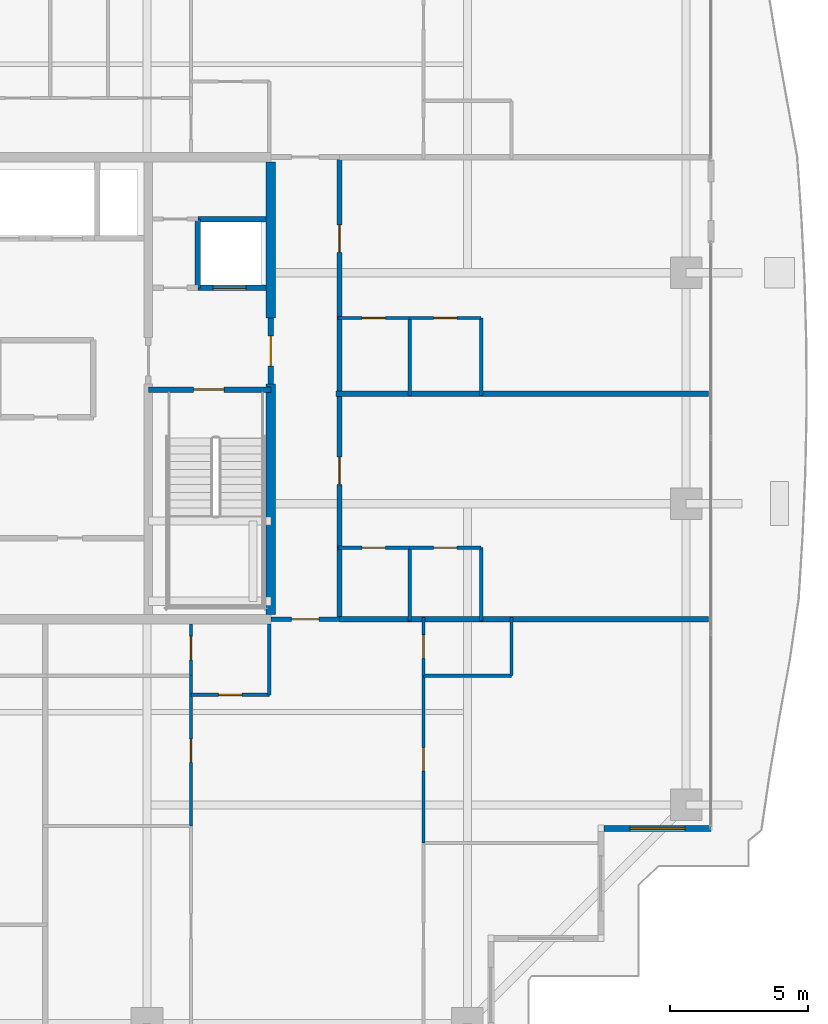
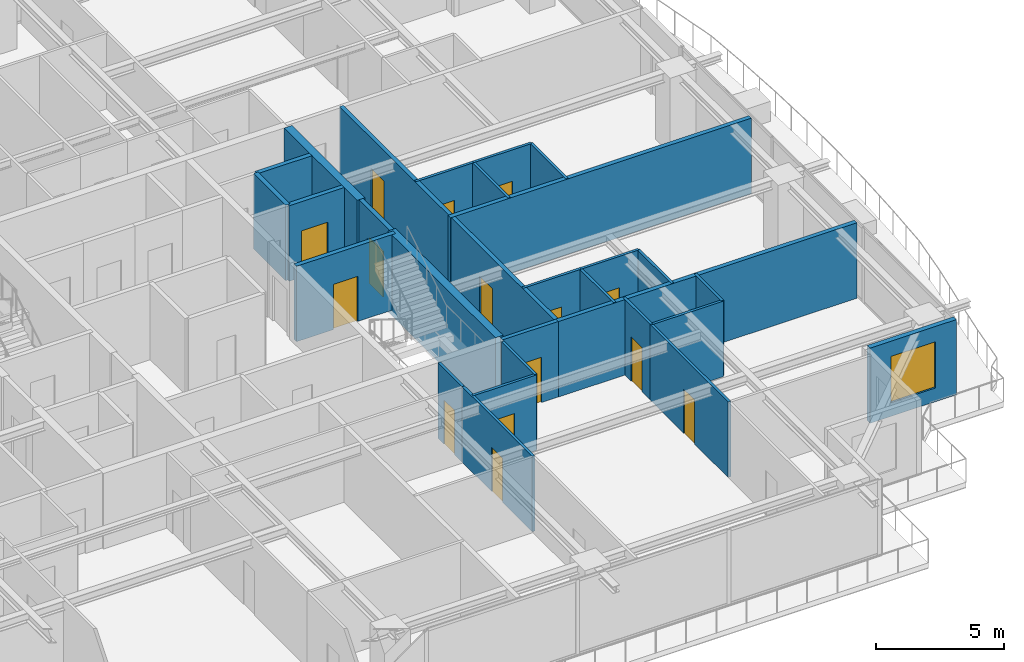
# One storey, part 28 of 37: 28 walls, 15 doors, 1 window, 16 openings.
"""IFC4 building model written with IfcOpenShell, lengths in metres."""

from ifc_helpers import new_model, si_unit, direction, frame, frame_2d, origin, place, context, subcontext, project, spatial, rectangle, extrude, source, transform, mapped, material, layer, layer_set, type_object, element, fill, save


model = new_model("IFC4")

# Units and contexts
model_context = context("Model", 3, precision=1e-05, world=origin(), true_north=direction((0.0, 1.0)))
body_context = subcontext(model_context, "Body", "Model", "MODEL_VIEW")
ifc_project = project(units=[si_unit("LENGTHUNIT", "METRE"), si_unit("AREAUNIT", "SQUARE_METRE"), si_unit("VOLUMEUNIT", "CUBIC_METRE"), si_unit("PLANEANGLEUNIT", "RADIAN"), si_unit("MASSUNIT", "GRAM", prefix="KILO")], contexts=[model_context])

# Site, building, storey
site_placement = place(None, origin())
site = spatial("IfcSite", under=ifc_project, at=site_placement, CompositionType="ELEMENT")
building_placement = place(site_placement, origin())
building = spatial("IfcBuilding", under=site, at=building_placement, Name="Serunith Strait Residences", CompositionType="ELEMENT")
storey_placement = place(building_placement, frame((0.0, 0.0, 279.75)))
storey = spatial("IfcBuildingStorey", under=building, at=storey_placement, Name="L70", CompositionType="ELEMENT", Elevation=279.75)

# Wall, opening, window
ifc_material_1 = material(Name="Pale-Champagne Aluminium Insulated Panel", Category="aluminium")
ifc_layer_1 = layer(ifc_material_1, 0.219970703125, Name="Pale-Champagne Aluminium Insulated Panel")
ifc_layer_set_1 = layer_set([ifc_layer_1], Name="Pale-Champagne Aluminium Insulated Panel")
wall_type_1 = type_object("IfcWallType", Name="EW-ALUM-220", PredefinedType="ELEMENTEDWALL", material=ifc_layer_set_1)
wall_1_placement = place(storey_placement, frame((53.510009765625, 9.199951171875, 0.0), z_axis=(0.0, 0.0, 1.0), x_axis=(1.0, 0.0, 0.0)))
wall_1 = element("IfcWall", 1, at=wall_1_placement, inside=storey, type_object=wall_type_1, Name="L70 Girih Serrated Corner Wall 05", PredefinedType="ELEMENTEDWALL", context=body_context, shape_type="SweptSolid", body=[
    extrude(rectangle(XDim=3.889892578125, YDim=0.219970703125, at=frame_2d((1.94482421875, 0.0))), origin(), (0.0, 0.0, 1.0), 3.574951171875),
])
opening_1_placement = place(wall_1_placement, frame((0.945068359375, 0.0, 0.64990234375)))
opening_1 = element("IfcOpeningElement", 2, at=opening_1_placement, cuts=wall_1, Name="Opening W-04", PredefinedType="OPENING", context=body_context, shape_type="SweptSolid", body=[
    extrude(rectangle(XDim=2.0, YDim=2.199951171875, at=frame_2d((1.0, 1.10009765625))), frame((0.0, 0.1201171875, 0.0), z_axis=(0.0, -1.0, 0.0), x_axis=(1.0, 0.0, 0.0)), (0.0, 0.0, 1.0), 0.239990234375),
])
ifc_material_2 = material(Name="Ceramic-Fritted Operable Aluminium Window Glass", Category="aluminium")
window_type = type_object("IfcWindowType", Name="WIN-C4", PartitioningType="TRIPLE_PANEL_VERTICAL", PredefinedType="WINDOW", material=ifc_material_2)
shared_shape_1 = source(origin(), body_context, "Body", "SweptSolid", [
    extrude(rectangle(XDim=2.0, YDim=2.199951171875, at=frame_2d((1.0, 1.10009765625))), frame((0.0, 0.030029296875, 0.0), z_axis=(0.0, -1.0, 0.0), x_axis=(1.0, 0.0, 0.0)), (0.0, 0.0, 1.0), 0.06005859375),
])
window_placement = place(opening_1_placement, origin())
window = element("IfcWindow", 3, at=window_placement, inside=storey, type_object=window_type, Name="L70 Corner Operable Fritted Window 05", OverallHeight=2.199951171875, OverallWidth=2.0, PartitioningType="SINGLE_PANEL", PredefinedType="WINDOW", context=body_context, shape_type="MappedRepresentation", body=[
    mapped(shared_shape_1, transform((0.0, 0.0, 0.0), scale=1.0)),
])
fill(opening_1, window)

# Wall, opening, door
ifc_material_3 = material(Name="Fire-rated acoustic gypsum partition")
ifc_layer_2 = layer(ifc_material_3, 0.179931640625, Name="Fire-rated acoustic gypsum partition")
ifc_layer_set_2 = layer_set([ifc_layer_2], Name="Fire-rated acoustic gypsum partition")
wall_type_2 = type_object("IfcWallType", Name="IW-CORR-180", PredefinedType="PARTITIONING", material=ifc_layer_set_2)
wall_2_placement = place(storey_placement, frame((41.402099609375, 16.800048828125, 0.0), z_axis=(0.0, 0.0, 1.0), x_axis=(1.0, 0.0, 0.0)))
wall_2 = element("IfcWall", 4, at=wall_2_placement, inside=storey, type_object=wall_type_2, Name="L70 Partition Wall 029", PredefinedType="PARTITIONING", context=body_context, shape_type="SweptSolid", body=[
    extrude(rectangle(XDim=2.495849609375, YDim=0.179931640625, at=frame_2d((1.248046875, 0.0))), origin(), (0.0, 0.0, 1.0), 3.590087890625),
])
opening_2_placement = place(wall_2_placement, frame((0.748046875, 0.0, 0.0)))
opening_2 = element("IfcOpeningElement", 5, at=opening_2_placement, cuts=wall_2, Name="Opening D-APT1000", PredefinedType="OPENING", context=body_context, shape_type="SweptSolid", body=[
    extrude(rectangle(XDim=1.0, YDim=2.14990234375, at=frame_2d((0.5, 1.074951171875))), frame((0.0, 0.10009765625, 0.0), z_axis=(0.0, -1.0, 0.0), x_axis=(1.0, 0.0, 0.0)), (0.0, 0.0, 1.0), 0.199951171875),
])
ifc_material_4 = material(Name="Solid timber engineered fire door", Category="wood")
door_type_1 = type_object("IfcDoorType", Name="ID-APT-1000", OperationType="NOTDEFINED", PredefinedType="DOOR", material=ifc_material_4)
shared_shape_2 = source(origin(), body_context, "Body", "SweptSolid", [
    extrude(rectangle(XDim=1.0, YDim=2.14990234375, at=frame_2d((0.5, 1.074951171875))), frame((0.0, 0.02490234375, 0.0), z_axis=(0.0, -1.0, 0.0), x_axis=(1.0, 0.0, 0.0)), (0.0, 0.0, 1.0), 0.050048828125),
])
door_1_placement = place(opening_2_placement, origin())
door_1 = element("IfcDoor", 6, at=door_1_placement, inside=storey, type_object=door_type_1, Name="L70 Unit 02 Entrance Door", OperationType="SINGLE_SWING_LEFT", OverallHeight=2.14990234375, OverallWidth=1.0, PredefinedType="DOOR", context=body_context, shape_type="MappedRepresentation", body=[
    mapped(shared_shape_2, transform((0.0, 0.0, 0.0), scale=1.0)),
])
fill(opening_2, door_1)

# Wall, openings, doors
wall_3_placement = place(storey_placement, frame((43.89990234375, 16.800048828125, 0.0), z_axis=(0.0, 0.0, 1.0), x_axis=(0.0, 1.0, 0.0)))
wall_3 = element("IfcWall", 7, at=wall_3_placement, inside=storey, type_object=wall_type_2, Name="L70 Partition Wall 031", PredefinedType="PARTITIONING", context=body_context, shape_type="SweptSolid", body=[
    extrude(rectangle(XDim=16.800048828125, YDim=0.179931640625, at=frame_2d((8.39990234375, 0.0))), origin(), (0.0, 0.0, 1.0), 3.590087890625),
])
opening_3_placement = place(wall_3_placement, frame((4.89794921875, 0.0, 0.0)))
opening_3 = element("IfcOpeningElement", 8, at=opening_3_placement, cuts=wall_3, Name="Opening D-APT1000", PredefinedType="OPENING", context=body_context, shape_type="SweptSolid", body=[
    extrude(rectangle(XDim=1.0, YDim=2.14990234375, at=frame_2d((0.5, 1.074951171875))), frame((0.0, 0.10009765625, 0.0), z_axis=(0.0, -1.0, 0.0), x_axis=(1.0, 0.0, 0.0)), (0.0, 0.0, 1.0), 0.199951171875),
])
opening_4_placement = place(wall_3_placement, frame((13.3349609375, 0.0, 0.0)))
opening_4 = element("IfcOpeningElement", 9, at=opening_4_placement, cuts=wall_3, Name="Opening D-APT1000", PredefinedType="OPENING", context=body_context, shape_type="SweptSolid", body=[
    extrude(rectangle(XDim=1.0, YDim=2.14990234375, at=frame_2d((0.5, 1.074951171875))), frame((0.0, 0.10009765625, 0.0), z_axis=(0.0, -1.0, 0.0), x_axis=(1.0, 0.0, 0.0)), (0.0, 0.0, 1.0), 0.199951171875),
])
door_2_placement = place(opening_3_placement, origin())
door_2 = element("IfcDoor", 10, at=door_2_placement, inside=storey, type_object=door_type_1, Name="L70 Unit 06 Entrance Door", OperationType="SINGLE_SWING_LEFT", OverallHeight=2.14990234375, OverallWidth=1.0, PredefinedType="DOOR", context=body_context, shape_type="MappedRepresentation", body=[
    mapped(shared_shape_2, transform((0.0, 0.0, 0.0), scale=1.0)),
])
fill(opening_3, door_2)
door_3_placement = place(opening_4_placement, origin())
door_3 = element("IfcDoor", 11, at=door_3_placement, inside=storey, type_object=door_type_1, Name="L70 Unit 07 Entrance Door", OperationType="SINGLE_SWING_RIGHT", OverallHeight=2.14990234375, OverallWidth=1.0, PredefinedType="DOOR", context=body_context, shape_type="MappedRepresentation", body=[
    mapped(shared_shape_2, transform((0.0, 0.0, 0.0), scale=1.0)),
])
fill(opening_4, door_3)

# Wall, opening, door
ifc_material_5 = material(Name="Lightweight steel-stud gypsum partition", Category="steel")
ifc_layer_3 = layer(ifc_material_5, 0.1201171875, Name="Lightweight steel-stud gypsum partition")
ifc_layer_set_3 = layer_set([ifc_layer_3], Name="Lightweight steel-stud gypsum partition")
wall_type_3 = type_object("IfcWallType", Name="IW-PART-120", PredefinedType="PARTITIONING", material=ifc_layer_set_3)
wall_4_placement = place(storey_placement, frame((38.5, 14.050048828125, 0.0), z_axis=(0.0, 0.0, 1.0), x_axis=(1.0, 0.0, 0.0)))
wall_4 = element("IfcWall", 12, at=wall_4_placement, inside=storey, type_object=wall_type_3, Name="L70 Partition Wall 045", PredefinedType="PARTITIONING", context=body_context, shape_type="SweptSolid", body=[
    extrude(rectangle(XDim=2.85009765625, YDim=0.1201171875, at=frame_2d((1.425048828125, 0.0))), origin(), (0.0, 0.0, 1.0), 3.590087890625),
])
opening_5_placement = place(wall_4_placement, frame((1.0, 0.0, 0.0)))
opening_5 = element("IfcOpeningElement", 13, at=opening_5_placement, cuts=wall_4, Name="Opening D-RM850", PredefinedType="OPENING", context=body_context, shape_type="SweptSolid", body=[
    extrude(rectangle(XDim=0.85009765625, YDim=2.10009765625, at=frame_2d((0.425048828125, 1.050048828125))), frame((0.0, 0.070068359375, 0.0), z_axis=(0.0, -1.0, 0.0), x_axis=(1.0, 0.0, 0.0)), (0.0, 0.0, 1.0), 0.14013671875),
])
ifc_material_6 = material(Name="Engineered timber flush study and kitchen door", Category="wood")
door_type_2 = type_object("IfcDoorType", Name="ID-ROOM-850", OperationType="NOTDEFINED", PredefinedType="DOOR", material=ifc_material_6)
shared_shape_3 = source(origin(), body_context, "Body", "SweptSolid", [
    extrude(rectangle(XDim=0.85009765625, YDim=2.10009765625, at=frame_2d((0.425048828125, 1.050048828125))), frame((0.0, 0.02490234375, 0.0), z_axis=(0.0, -1.0, 0.0), x_axis=(1.0, 0.0, 0.0)), (0.0, 0.0, 1.0), 0.050048828125),
])
door_4_placement = place(opening_5_placement, origin())
door_4 = element("IfcDoor", 14, at=door_4_placement, inside=storey, type_object=door_type_2, Name="L70 Kitchen 7002 Door", OperationType="SINGLE_SWING_RIGHT", OverallHeight=2.10009765625, OverallWidth=0.85009765625, PredefinedType="DOOR", context=body_context, shape_type="MappedRepresentation", body=[
    mapped(shared_shape_3, transform((0.0, 0.0, 0.0), scale=1.0)),
])
fill(opening_5, door_4)

# Wall
wall_5_placement = place(storey_placement, frame((41.35009765625, 14.050048828125, 0.0), z_axis=(0.0, 0.0, 1.0), x_axis=(0.0, 1.0, 0.0)))
element("IfcWall", 15, at=wall_5_placement, inside=storey, type_object=wall_type_3, Name="L70 Partition Wall 046", PredefinedType="PARTITIONING", context=body_context, shape_type="SweptSolid", body=[
    extrude(rectangle(XDim=2.574951171875, YDim=0.1201171875, at=frame_2d((1.28759765625, 0.0))), origin(), (0.0, 0.0, 1.0), 3.590087890625),
])

# Wall, opening, door
wall_6_placement = place(storey_placement, frame((38.5, 9.2880859375, 0.0), z_axis=(0.0, 0.0, 1.0), x_axis=(0.0, 1.0, 0.0)))
wall_6 = element("IfcWall", 16, at=wall_6_placement, inside=storey, type_object=wall_type_3, Name="L70 Partition Wall 050", PredefinedType="PARTITIONING", context=body_context, shape_type="SweptSolid", body=[
    extrude(rectangle(XDim=5.4619140625, YDim=0.1201171875, at=frame_2d((2.73095703125, 0.0))), origin(), (0.0, 0.0, 1.0), 3.590087890625),
])
opening_6_placement = place(wall_6_placement, frame((2.305908203125, 0.0, 0.0)))
opening_6 = element("IfcOpeningElement", 17, at=opening_6_placement, cuts=wall_6, Name="Opening D-RM850", PredefinedType="OPENING", context=body_context, shape_type="SweptSolid", body=[
    extrude(rectangle(XDim=0.85009765625, YDim=2.10009765625, at=frame_2d((0.425048828125, 1.050048828125))), frame((0.0, 0.070068359375, 0.0), z_axis=(0.0, -1.0, 0.0), x_axis=(1.0, 0.0, 0.0)), (0.0, 0.0, 1.0), 0.14013671875),
])
door_5_placement = place(opening_6_placement, origin())
door_5 = element("IfcDoor", 18, at=door_5_placement, inside=storey, type_object=door_type_2, Name="L70 Walk-in Wardrobe 7002 Door", OperationType="SINGLE_SWING_RIGHT", OverallHeight=2.10009765625, OverallWidth=0.85009765625, PredefinedType="DOOR", context=body_context, shape_type="MappedRepresentation", body=[
    mapped(shared_shape_3, transform((0.0, 0.0, 0.0), scale=1.0)),
])
fill(opening_6, door_5)

wall_7_placement = place(storey_placement, frame((38.5, 14.751953125, 0.0), z_axis=(0.0, 0.0, 1.0), x_axis=(0.0, 1.0, 0.0)))
wall_7 = element("IfcWall", 19, at=wall_7_placement, inside=storey, type_object=wall_type_3, Name="L70 Partition Wall 051", PredefinedType="PARTITIONING", context=body_context, shape_type="SweptSolid", body=[
    extrude(rectangle(XDim=1.873046875, YDim=0.1201171875, at=frame_2d((0.9365234375, 0.0))), origin(), (0.0, 0.0, 1.0), 3.590087890625),
])
opening_7_placement = place(wall_7_placement, frame((0.574951171875, 0.0, 0.0)))
opening_7 = element("IfcOpeningElement", 20, at=opening_7_placement, cuts=wall_7, Name="Opening D-BTH850", PredefinedType="OPENING", context=body_context, shape_type="SweptSolid", body=[
    extrude(rectangle(XDim=0.85009765625, YDim=2.10009765625, at=frame_2d((0.425048828125, 1.050048828125))), frame((0.0, 0.070068359375, 0.0), z_axis=(0.0, -1.0, 0.0), x_axis=(1.0, 0.0, 0.0)), (0.0, 0.0, 1.0), 0.14013671875),
])
ifc_material_7 = material(Name="Moisture-resistant timber bathroom door", Category="wood")
door_type_3 = type_object("IfcDoorType", Name="ID-BATH-850", OperationType="NOTDEFINED", PredefinedType="DOOR", material=ifc_material_7)
door_6_placement = place(opening_7_placement, origin())
door_6 = element("IfcDoor", 21, at=door_6_placement, inside=storey, type_object=door_type_3, Name="L70 Bathroom 7002 Door", OperationType="SINGLE_SWING_LEFT", OverallHeight=2.10009765625, OverallWidth=0.85009765625, PredefinedType="DOOR", context=body_context, shape_type="MappedRepresentation", body=[
    mapped(shared_shape_3, transform((0.0, 0.0, 0.0), scale=1.0)),
])
fill(opening_7, door_6)

# Walls
wall_8_placement = place(storey_placement, frame((46.949951171875, 14.75, 0.0), z_axis=(0.0, 0.0, 1.0), x_axis=(1.0, 0.0, 0.0)))
element("IfcWall", 22, at=wall_8_placement, inside=storey, type_object=wall_type_3, Name="L70 Partition Wall 054", PredefinedType="PARTITIONING", context=body_context, shape_type="SweptSolid", body=[
    extrude(rectangle(XDim=3.199951171875, YDim=0.1201171875, at=frame_2d((1.60009765625, 0.0))), origin(), (0.0, 0.0, 1.0), 3.590087890625),
])
wall_9_placement = place(storey_placement, frame((50.14990234375, 14.75, 0.0), z_axis=(0.0, 0.0, 1.0), x_axis=(0.0, 1.0, 0.0)))
element("IfcWall", 23, at=wall_9_placement, inside=storey, type_object=wall_type_3, Name="L70 Partition Wall 055", PredefinedType="PARTITIONING", context=body_context, shape_type="SweptSolid", body=[
    extrude(rectangle(XDim=2.110107421875, YDim=0.1201171875, at=frame_2d((1.05517578125, 0.0))), origin(), (0.0, 0.0, 1.0), 3.590087890625),
])

# Wall, opening, door
wall_10_placement = place(storey_placement, frame((46.949951171875, 8.669921875, 0.0), z_axis=(0.0, 0.0, 1.0), x_axis=(0.0, 1.0, 0.0)))
wall_10 = element("IfcWall", 24, at=wall_10_placement, inside=storey, type_object=wall_type_3, Name="L70 Partition Wall 056", PredefinedType="PARTITIONING", context=body_context, shape_type="SweptSolid", body=[
    extrude(rectangle(XDim=6.080078125, YDim=0.1201171875, at=frame_2d((3.0400390625, 0.0))), origin(), (0.0, 0.0, 1.0), 3.590087890625),
])
opening_8_placement = place(wall_10_placement, frame((2.614990234375, 0.0, 0.0)))
opening_8 = element("IfcOpeningElement", 25, at=opening_8_placement, cuts=wall_10, Name="Opening D-RM850", PredefinedType="OPENING", context=body_context, shape_type="SweptSolid", body=[
    extrude(rectangle(XDim=0.85009765625, YDim=2.10009765625, at=frame_2d((0.425048828125, 1.050048828125))), frame((0.0, 0.070068359375, 0.0), z_axis=(0.0, -1.0, 0.0), x_axis=(1.0, 0.0, 0.0)), (0.0, 0.0, 1.0), 0.14013671875),
])
door_7_placement = place(opening_8_placement, origin())
door_7 = element("IfcDoor", 26, at=door_7_placement, inside=storey, type_object=door_type_2, Name="L70 Walk-in Wardrobe 7002 Door", OperationType="SINGLE_SWING_LEFT", OverallHeight=2.10009765625, OverallWidth=0.85009765625, PredefinedType="DOOR", context=body_context, shape_type="MappedRepresentation", body=[
    mapped(shared_shape_3, transform((0.0, 0.0, 0.0), scale=1.0)),
])
fill(opening_8, door_7)

wall_11_placement = place(storey_placement, frame((46.949951171875, 14.751953125, 0.0), z_axis=(0.0, 0.0, 1.0), x_axis=(0.0, 1.0, 0.0)))
wall_11 = element("IfcWall", 27, at=wall_11_placement, inside=storey, type_object=wall_type_3, Name="L70 Partition Wall 057", PredefinedType="PARTITIONING", context=body_context, shape_type="SweptSolid", body=[
    extrude(rectangle(XDim=2.108154296875, YDim=0.1201171875, at=frame_2d((1.05419921875, 0.0))), origin(), (0.0, 0.0, 1.0), 3.590087890625),
])
opening_9_placement = place(wall_11_placement, frame((0.62890625, 0.0, 0.0)))
opening_9 = element("IfcOpeningElement", 28, at=opening_9_placement, cuts=wall_11, Name="Opening D-BTH850", PredefinedType="OPENING", context=body_context, shape_type="SweptSolid", body=[
    extrude(rectangle(XDim=0.85009765625, YDim=2.10009765625, at=frame_2d((0.425048828125, 1.050048828125))), frame((0.0, 0.070068359375, 0.0), z_axis=(0.0, -1.0, 0.0), x_axis=(1.0, 0.0, 0.0)), (0.0, 0.0, 1.0), 0.14013671875),
])
door_8_placement = place(opening_9_placement, origin())
door_8 = element("IfcDoor", 29, at=door_8_placement, inside=storey, type_object=door_type_3, Name="L70 Bathroom 7002 Door", OperationType="SINGLE_SWING_RIGHT", OverallHeight=2.10009765625, OverallWidth=0.85009765625, PredefinedType="DOOR", context=body_context, shape_type="MappedRepresentation", body=[
    mapped(shared_shape_3, transform((0.0, 0.0, 0.0), scale=1.0)),
])
fill(opening_9, door_8)

wall_12_placement = place(storey_placement, frame((49.050048828125, 19.39990234375, 0.0), z_axis=(0.0, 0.0, 1.0), x_axis=(-1.0, 0.0, 0.0)))
wall_12 = element("IfcWall", 30, at=wall_12_placement, inside=storey, type_object=wall_type_3, Name="L70 Partition Wall 101", PredefinedType="PARTITIONING", context=body_context, shape_type="SweptSolid", body=[
    extrude(rectangle(XDim=2.60009765625, YDim=0.1201171875, at=frame_2d((1.300048828125, 0.0))), origin(), (0.0, 0.0, 1.0), 3.590087890625),
])
opening_10_placement = place(wall_12_placement, frame((0.875, 0.0, 0.0)))
opening_10 = element("IfcOpeningElement", 31, at=opening_10_placement, cuts=wall_12, Name="Opening D-RM850", PredefinedType="OPENING", context=body_context, shape_type="SweptSolid", body=[
    extrude(rectangle(XDim=0.85009765625, YDim=2.10009765625, at=frame_2d((0.425048828125, 1.050048828125))), frame((0.0, 0.070068359375, 0.0), z_axis=(0.0, -1.0, 0.0), x_axis=(1.0, 0.0, 0.0)), (0.0, 0.0, 1.0), 0.14013671875),
])
door_9_placement = place(opening_10_placement, origin())
door_9 = element("IfcDoor", 32, at=door_9_placement, inside=storey, type_object=door_type_2, Name="L70 Kitchen 7006 Door", OperationType="SINGLE_SWING_LEFT", OverallHeight=2.10009765625, OverallWidth=0.85009765625, PredefinedType="DOOR", context=body_context, shape_type="MappedRepresentation", body=[
    mapped(shared_shape_3, transform((0.0, 0.0, 0.0), scale=1.0)),
])
fill(opening_10, door_9)

wall_13_placement = place(storey_placement, frame((46.447998046875, 19.39990234375, 0.0), z_axis=(0.0, 0.0, 1.0), x_axis=(-1.0, 0.0, 0.0)))
wall_13 = element("IfcWall", 33, at=wall_13_placement, inside=storey, type_object=wall_type_3, Name="L70 Partition Wall 102", PredefinedType="PARTITIONING", context=body_context, shape_type="SweptSolid", body=[
    extrude(rectangle(XDim=2.60791015625, YDim=0.1201171875, at=frame_2d((1.303955078125, 0.0))), origin(), (0.0, 0.0, 1.0), 3.590087890625),
])
opening_11_placement = place(wall_13_placement, frame((0.87890625, 0.0, 0.0)))
opening_11 = element("IfcOpeningElement", 34, at=opening_11_placement, cuts=wall_13, Name="Opening D-BTH850", PredefinedType="OPENING", context=body_context, shape_type="SweptSolid", body=[
    extrude(rectangle(XDim=0.85009765625, YDim=2.10009765625, at=frame_2d((0.425048828125, 1.050048828125))), frame((0.0, 0.070068359375, 0.0), z_axis=(0.0, -1.0, 0.0), x_axis=(1.0, 0.0, 0.0)), (0.0, 0.0, 1.0), 0.14013671875),
])
door_10_placement = place(opening_11_placement, origin())
door_10 = element("IfcDoor", 35, at=door_10_placement, inside=storey, type_object=door_type_3, Name="L70 Bathroom 7006 Door", OperationType="SINGLE_SWING_RIGHT", OverallHeight=2.10009765625, OverallWidth=0.85009765625, PredefinedType="DOOR", context=body_context, shape_type="MappedRepresentation", body=[
    mapped(shared_shape_3, transform((0.0, 0.0, 0.0), scale=1.0)),
])
fill(opening_11, door_10)

# Walls
for number, where, z_axis, x_axis, name in (
    (36, (46.449951171875, 16.739990234375, 0.0), (0.0, 0.0, 1.0), (0.0, 1.0, 0.0), "L70 Partition Wall 103"),
    (37, (49.050048828125, 16.739990234375, 0.0), (0.0, 0.0, 1.0), (0.0, 1.0, 0.0), "L70 Partition Wall 104"),
):
    element("IfcWall", number, at=place(storey_placement, frame(where, z_axis=z_axis, x_axis=x_axis)), inside=storey, type_object=wall_type_3, Name=name, PredefinedType="PARTITIONING", context=body_context, shape_type="SweptSolid", body=[
        extrude(rectangle(XDim=2.659912109375, YDim=0.1201171875, at=frame_2d((1.330078125, 0.0))), origin(), (0.0, 0.0, 1.0), 3.590087890625),
    ])

# Wall, opening, door
wall_14_placement = place(storey_placement, frame((49.050048828125, 27.75, 0.0), z_axis=(0.0, 0.0, 1.0), x_axis=(-1.0, 0.0, 0.0)))
wall_14 = element("IfcWall", 38, at=wall_14_placement, inside=storey, type_object=wall_type_3, Name="L70 Partition Wall 105", PredefinedType="PARTITIONING", context=body_context, shape_type="SweptSolid", body=[
    extrude(rectangle(XDim=2.60009765625, YDim=0.1201171875, at=frame_2d((1.300048828125, 0.0))), origin(), (0.0, 0.0, 1.0), 3.590087890625),
])
opening_12_placement = place(wall_14_placement, frame((0.875, 0.0, 0.0)))
opening_12 = element("IfcOpeningElement", 39, at=opening_12_placement, cuts=wall_14, Name="Opening D-RM850", PredefinedType="OPENING", context=body_context, shape_type="SweptSolid", body=[
    extrude(rectangle(XDim=0.85009765625, YDim=2.10009765625, at=frame_2d((0.425048828125, 1.050048828125))), frame((0.0, 0.070068359375, 0.0), z_axis=(0.0, -1.0, 0.0), x_axis=(1.0, 0.0, 0.0)), (0.0, 0.0, 1.0), 0.14013671875),
])
door_11_placement = place(opening_12_placement, origin())
door_11 = element("IfcDoor", 40, at=door_11_placement, inside=storey, type_object=door_type_2, Name="L70 Kitchen 7007 Door", OperationType="SINGLE_SWING_LEFT", OverallHeight=2.10009765625, OverallWidth=0.85009765625, PredefinedType="DOOR", context=body_context, shape_type="MappedRepresentation", body=[
    mapped(shared_shape_3, transform((0.0, 0.0, 0.0), scale=1.0)),
])
fill(opening_12, door_11)

wall_15_placement = place(storey_placement, frame((46.447998046875, 27.75, 0.0), z_axis=(0.0, 0.0, 1.0), x_axis=(-1.0, 0.0, 0.0)))
wall_15 = element("IfcWall", 41, at=wall_15_placement, inside=storey, type_object=wall_type_3, Name="L70 Partition Wall 106", PredefinedType="PARTITIONING", context=body_context, shape_type="SweptSolid", body=[
    extrude(rectangle(XDim=2.60791015625, YDim=0.1201171875, at=frame_2d((1.303955078125, 0.0))), origin(), (0.0, 0.0, 1.0), 3.590087890625),
])
opening_13_placement = place(wall_15_placement, frame((0.87890625, 0.0, 0.0)))
opening_13 = element("IfcOpeningElement", 42, at=opening_13_placement, cuts=wall_15, Name="Opening D-BTH850", PredefinedType="OPENING", context=body_context, shape_type="SweptSolid", body=[
    extrude(rectangle(XDim=0.85009765625, YDim=2.10009765625, at=frame_2d((0.425048828125, 1.050048828125))), frame((0.0, 0.070068359375, 0.0), z_axis=(0.0, -1.0, 0.0), x_axis=(1.0, 0.0, 0.0)), (0.0, 0.0, 1.0), 0.14013671875),
])
door_12_placement = place(opening_13_placement, origin())
door_12 = element("IfcDoor", 43, at=door_12_placement, inside=storey, type_object=door_type_3, Name="L70 Bathroom 7007 Door", OperationType="SINGLE_SWING_RIGHT", OverallHeight=2.10009765625, OverallWidth=0.85009765625, PredefinedType="DOOR", context=body_context, shape_type="MappedRepresentation", body=[
    mapped(shared_shape_3, transform((0.0, 0.0, 0.0), scale=1.0)),
])
fill(opening_13, door_12)

# Walls
for number, where, z_axis, x_axis, name in (
    (44, (46.449951171875, 24.93994140625, 0.0), (0.0, 0.0, 1.0), (0.0, 1.0, 0.0), "L70 Partition Wall 107"),
    (45, (49.050048828125, 24.93994140625, 0.0), (0.0, 0.0, 1.0), (0.0, 1.0, 0.0), "L70 Partition Wall 108"),
):
    element("IfcWall", number, at=place(storey_placement, frame(where, z_axis=z_axis, x_axis=x_axis)), inside=storey, type_object=wall_type_3, Name=name, PredefinedType="PARTITIONING", context=body_context, shape_type="SweptSolid", body=[
        extrude(rectangle(XDim=2.81005859375, YDim=0.1201171875, at=frame_2d((1.405029296875, 0.0))), origin(), (0.0, 0.0, 1.0), 3.590087890625),
    ])
ifc_material_8 = material(Name="Twin-stud acoustic gypsum board partition")
ifc_layer_4 = layer(ifc_material_8, 0.199951171875, Name="Twin-stud acoustic gypsum board partition")
ifc_layer_set_4 = layer_set([ifc_layer_4], Name="Twin-stud acoustic gypsum board partition")
wall_type_4 = type_object("IfcWallType", Name="IW-PARTY-200", PredefinedType="PARTITIONING", material=ifc_layer_set_4)
wall_16_placement = place(storey_placement, frame((43.780029296875, 25.0, 0.0), z_axis=(0.0, 0.0, 1.0), x_axis=(1.0, 0.0, 0.0)))
element("IfcWall", 46, at=wall_16_placement, inside=storey, type_object=wall_type_4, Name="L70 Partition Wall 021", PredefinedType="PARTITIONING", context=body_context, shape_type="SweptSolid", body=[
    extrude(rectangle(XDim=13.5380859375, YDim=0.199951171875, at=frame_2d((6.76904296875, 0.0))), origin(), (0.0, 0.0, 1.0), 3.590087890625),
])
wall_17_placement = place(storey_placement, frame((43.89990234375, 16.800048828125, 0.0), z_axis=(0.0, 0.0, 1.0), x_axis=(1.0, 0.0, 0.0)))
element("IfcWall", 47, at=wall_17_placement, inside=storey, type_object=wall_type_4, Name="L70 Partition Wall 023", PredefinedType="PARTITIONING", context=body_context, shape_type="SweptSolid", body=[
    extrude(rectangle(XDim=13.418212890625, YDim=0.199951171875, at=frame_2d((6.708984375, 0.0))), origin(), (0.0, 0.0, 1.0), 3.590087890625),
])

# Wall, opening, door
ifc_material_9 = material(Name="Autoclaved aerated concrete blockwork", Category="masonry")
ifc_layer_5 = layer(ifc_material_9, 0.199951171875, Name="Autoclaved aerated concrete blockwork")
ifc_layer_set_5 = layer_set([ifc_layer_5], Name="Autoclaved aerated concrete blockwork")
wall_type_5 = type_object("IfcWallType", Name="IW-SHAFT-200", PredefinedType="STANDARD", material=ifc_layer_set_5)
wall_18_placement = place(storey_placement, frame((36.949951171875, 25.14990234375, 0.0), z_axis=(0.0, 0.0, 1.0), x_axis=(1.0, 0.0, 0.0)))
wall_18 = element("IfcWall", 48, at=wall_18_placement, inside=storey, type_object=wall_type_5, Name="L70 ST-2 North Shaft Wall", PredefinedType="STANDARD", context=body_context, shape_type="SweptSolid", body=[
    extrude(rectangle(XDim=4.449951171875, YDim=0.199951171875, at=frame_2d((2.22509765625, 0.0))), origin(), (0.0, 0.0, 1.0), 3.590087890625),
])
opening_14_placement = place(wall_18_placement, frame((1.64990234375, 0.0, 0.0)))
opening_14 = element("IfcOpeningElement", 49, at=opening_14_placement, cuts=wall_18, Name="Opening FD-1100", PredefinedType="OPENING", context=body_context, shape_type="SweptSolid", body=[
    extrude(rectangle(XDim=1.10009765625, YDim=2.14990234375, at=frame_2d((0.550048828125, 1.074951171875))), frame((0.0, 0.10986328125, 0.0), z_axis=(0.0, -1.0, 0.0), x_axis=(1.0, 0.0, 0.0)), (0.0, 0.0, 1.0), 0.219970703125),
])
ifc_material_10 = material(Name="Galvanised steel fire door leaf", Category="steel")
door_type_4 = type_object("IfcDoorType", Name="FD-STAIR-1100", OperationType="NOTDEFINED", PredefinedType="DOOR", material=ifc_material_10)
shared_shape_4 = source(origin(), body_context, "Body", "SweptSolid", [
    extrude(rectangle(XDim=1.10009765625, YDim=2.14990234375, at=frame_2d((0.550048828125, 1.074951171875))), frame((0.0, 0.02490234375, 0.0), z_axis=(0.0, -1.0, 0.0), x_axis=(1.0, 0.0, 0.0)), (0.0, 0.0, 1.0), 0.050048828125),
])
door_13_placement = place(opening_14_placement, origin())
door_13 = element("IfcDoor", 50, at=door_13_placement, inside=storey, type_object=door_type_4, Name="L70 ST-2 Escape Stair Door", OperationType="SINGLE_SWING_LEFT", OverallHeight=2.14990234375, OverallWidth=1.10009765625, PredefinedType="DOOR", context=body_context, shape_type="MappedRepresentation", body=[
    mapped(shared_shape_4, transform((0.0, 0.0, 0.0), scale=1.0)),
])
fill(opening_14, door_13)

wall_19_placement = place(storey_placement, frame((38.75, 28.85009765625, 0.0), z_axis=(0.0, 0.0, 1.0), x_axis=(1.0, 0.0, 0.0)))
wall_19 = element("IfcWall", 51, at=wall_19_placement, inside=storey, type_object=wall_type_5, Name="L70 FL-2 South Shaft Wall", PredefinedType="STANDARD", context=body_context, shape_type="SweptSolid", body=[
    extrude(rectangle(XDim=2.47509765625, YDim=0.199951171875, at=frame_2d((1.237548828125, 0.0))), origin(), (0.0, 0.0, 1.0), 3.590087890625),
])
opening_15_placement = place(wall_19_placement, frame((0.550048828125, 0.0, 0.0)))
opening_15 = element("IfcOpeningElement", 52, at=opening_15_placement, cuts=wall_19, Name="Opening LD-FF1200", PredefinedType="OPENING", context=body_context, shape_type="SweptSolid", body=[
    extrude(rectangle(XDim=1.199951171875, YDim=2.199951171875, at=frame_2d((0.60009765625, 1.10009765625))), frame((0.0, 0.10986328125, 0.0), z_axis=(0.0, -1.0, 0.0), x_axis=(1.0, 0.0, 0.0)), (0.0, 0.0, 1.0), 0.219970703125),
])
ifc_material_11 = material(Name="Brushed stainless steel landing door", Category="steel")
door_type_5 = type_object("IfcDoorType", Name="LD-FF-1200", OperationType="DOUBLE_DOOR_SLIDING", PredefinedType="DOOR", material=ifc_material_11)
shared_shape_5 = source(origin(), body_context, "Body", "SweptSolid", [
    extrude(rectangle(XDim=1.199951171875, YDim=2.199951171875, at=frame_2d((0.60009765625, 1.10009765625))), frame((0.0, 0.02490234375, 0.0), z_axis=(0.0, -1.0, 0.0), x_axis=(1.0, 0.0, 0.0)), (0.0, 0.0, 1.0), 0.050048828125),
])
door_14_placement = place(opening_15_placement, origin())
door_14 = element("IfcDoor", 53, at=door_14_placement, inside=storey, type_object=door_type_5, Name="L70 FL-2 Landing Door", OperationType="DOUBLE_DOOR_SLIDING", OverallHeight=2.199951171875, OverallWidth=1.199951171875, PredefinedType="DOOR", context=body_context, shape_type="MappedRepresentation", body=[
    mapped(shared_shape_5, transform((0.0, 0.0, 0.0), scale=1.0)),
])
fill(opening_15, door_14)

# Walls
wall_20_placement = place(storey_placement, frame((38.75, 28.85009765625, 0.0), z_axis=(0.0, 0.0, 1.0), x_axis=(0.0, 1.0, 0.0)))
element("IfcWall", 54, at=wall_20_placement, inside=storey, type_object=wall_type_5, Name="L70 Partition Wall 004", PredefinedType="STANDARD", context=body_context, shape_type="SweptSolid", body=[
    extrude(rectangle(XDim=2.5, YDim=0.199951171875, at=frame_2d((1.25, 0.0))), origin(), (0.0, 0.0, 1.0), 3.590087890625),
])
wall_21_placement = place(storey_placement, frame((38.75, 31.35009765625, 0.0), z_axis=(0.0, 0.0, 1.0), x_axis=(1.0, 0.0, 0.0)))
element("IfcWall", 55, at=wall_21_placement, inside=storey, type_object=wall_type_5, Name="L70 Partition Wall 005", PredefinedType="STANDARD", context=body_context, shape_type="SweptSolid", body=[
    extrude(rectangle(XDim=2.47509765625, YDim=0.199951171875, at=frame_2d((1.237548828125, 0.0))), origin(), (0.0, 0.0, 1.0), 3.590087890625),
])

# Wall, opening, door
wall_22_placement = place(storey_placement, frame((41.39990234375, 25.35205078125, 0.0), z_axis=(0.0, 0.0, 1.0), x_axis=(0.0, 1.0, 0.0)))
wall_22 = element("IfcWall", 56, at=wall_22_placement, inside=storey, type_object=wall_type_5, Name="L70 Partition Wall 008", PredefinedType="STANDARD", context=body_context, shape_type="SweptSolid", body=[
    extrude(rectangle(XDim=2.39599609375, YDim=0.199951171875, at=frame_2d((1.197998046875, 0.0))), origin(), (0.0, 0.0, 1.0), 3.590087890625),
])
opening_16_placement = place(wall_22_placement, frame((0.64794921875, 0.0, 0.0)))
opening_16 = element("IfcOpeningElement", 57, at=opening_16_placement, cuts=wall_22, Name="Opening FD-FFL", PredefinedType="OPENING", context=body_context, shape_type="SweptSolid", body=[
    extrude(rectangle(XDim=1.10009765625, YDim=2.14990234375, at=frame_2d((0.550048828125, 1.074951171875))), frame((0.0, 0.10986328125, 0.0), z_axis=(0.0, -1.0, 0.0), x_axis=(1.0, 0.0, 0.0)), (0.0, 0.0, 1.0), 0.219970703125),
])
ifc_material_12 = material(Name="Glazed steel smoke-lobby fire door", Category="steel")
door_type_6 = type_object("IfcDoorType", Name="FD-FFL-1100", OperationType="NOTDEFINED", PredefinedType="DOOR", material=ifc_material_12)
door_15_placement = place(opening_16_placement, origin())
door_15 = element("IfcDoor", 58, at=door_15_placement, inside=storey, type_object=door_type_6, Name="L70 FFL-2 Corridor Fire Door", OperationType="SINGLE_SWING_LEFT", OverallHeight=2.14990234375, OverallWidth=1.10009765625, PredefinedType="DOOR", context=body_context, shape_type="MappedRepresentation", body=[
    mapped(shared_shape_4, transform((0.0, 0.0, 0.0), scale=1.0)),
])
fill(opening_16, door_15)

# Walls
ifc_material_13 = material(Name="Concrete C60/75", Category="concrete")
ifc_layer_6 = layer(ifc_material_13, 0.35009765625, Name="Concrete C60/75")
ifc_layer_set_6 = layer_set([ifc_layer_6], Name="Concrete C60/75")
wall_type_6 = type_object("IfcWallType", Name="SW-350-C60", PredefinedType="SHEAR", material=ifc_layer_set_6)
wall_23_placement = place(storey_placement, frame((41.39990234375, 16.97509765625, -0.260009765625), z_axis=(0.0, 0.0, 1.0), x_axis=(0.0, 1.0, 0.0)))
element("IfcWall", 59, at=wall_23_placement, inside=storey, type_object=wall_type_6, Name="L70 Core East Shear Wall South Pier", PredefinedType="SHEAR", context=body_context, shape_type="SweptSolid", body=[
    extrude(rectangle(XDim=8.375, YDim=0.35009765625, at=frame_2d((4.1875, 0.0))), origin(), (0.0, 0.0, 1.0), 3.847900390625),
])
wall_24_placement = place(storey_placement, frame((41.39990234375, 27.75, -0.260009765625), z_axis=(0.0, 0.0, 1.0), x_axis=(0.0, 1.0, 0.0)))
element("IfcWall", 60, at=wall_24_placement, inside=storey, type_object=wall_type_6, Name="L70 Core East Shear Wall North Pier", PredefinedType="SHEAR", context=body_context, shape_type="SweptSolid", body=[
    extrude(rectangle(XDim=5.675048828125, YDim=0.35009765625, at=frame_2d((2.83740234375, 0.0))), origin(), (0.0, 0.0, 1.0), 3.847900390625),
])

save(model, "model.ifc")
